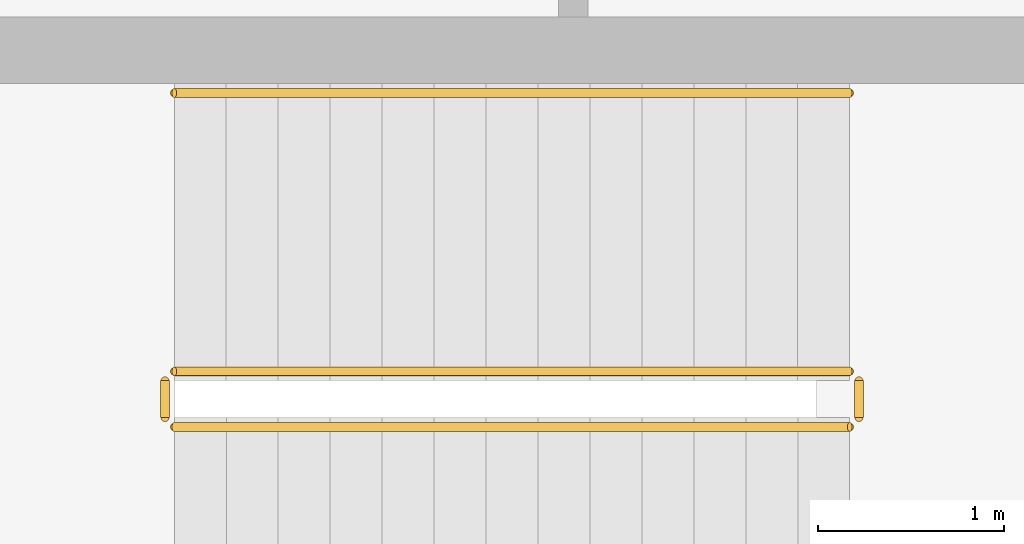
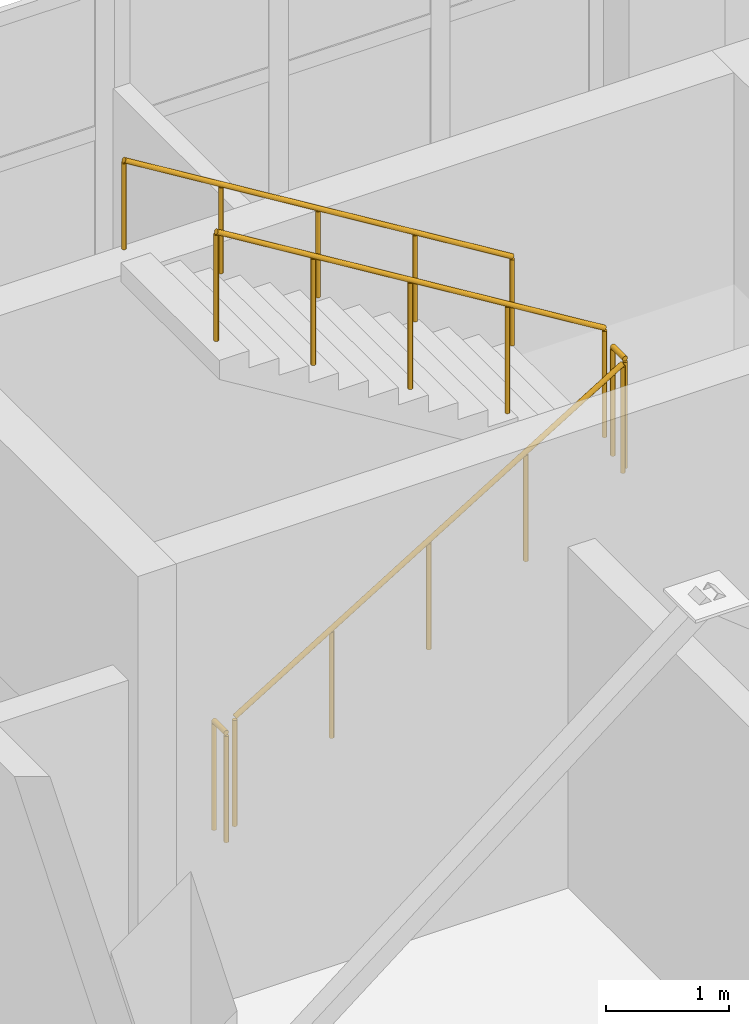
# One storey, part 121 of 121: 5 railings.
"""IFC4 building model written with IfcOpenShell, lengths in metres."""

import ifcopenshell
import ifcopenshell.guid

model = None  # the IFC model being written
_history = None  # IfcOwnerHistory: only IFC2X3 demands one
_inside = {}  # id of a spatial element -> (the spatial element, [elements in it])
_under = {}  # id of a project, library or spatial element -> (it, [spatial elements below it])
_declared = {}  # id of a project -> (the project, [libraries it declares])
_typed = {}  # id of a type object -> (the type object, [elements of that type])
_made_of = {}  # id of a material, layer set ... -> (it, [elements and type objects made of it])


def new_model(schema):
    """Start an empty IFC model of exactly this schema.

    Asked for "IFC4X3", IfcOpenShell would pick the latest addendum, in which some entities
    have other attributes; the version numbers below select the first issue.
    IFC2X3 requires an IfcOwnerHistory on every rooted entity: one is made here for all.
    """
    global model, _history
    if schema == "IFC4X3":
        model = ifcopenshell.file(schema_version=(4, 3, 0, 0))
    else:
        model = ifcopenshell.file(schema=schema)
    _inside.clear()
    _under.clear()
    _declared.clear()
    _typed.clear()
    _made_of.clear()
    _history = None
    if model.schema == "IFC2X3":
        org = make("IfcOrganization", Name="unknown")
        user = make(
            "IfcPersonAndOrganization",
            ThePerson=make("IfcPerson", FamilyName="unknown"),
            TheOrganization=org,
        )
        app = make(
            "IfcApplication",
            ApplicationDeveloper=org,
            Version="unknown",
            ApplicationFullName="unknown",
            ApplicationIdentifier="unknown",
        )
        _history = make(
            "IfcOwnerHistory",
            OwningUser=user,
            OwningApplication=app,
            ChangeAction="ADDED",
            CreationDate=0,
        )
    return model


def make(cls, **values):
    """One entity of the class cls with the attributes given. An attribute that is None is left unset."""
    return model.create_entity(
        cls, **{name: value for name, value in values.items() if value is not None}
    )


def rooted(cls, **values):
    """An entity with a GlobalId (a new one), such as an element, a storey or a relation."""
    return make(cls, GlobalId=ifcopenshell.guid.new(), OwnerHistory=_history, **values)


def si_unit(unit_type, name, prefix=None):
    """IfcSIUnit, for example si_unit("LENGTHUNIT", "METRE", prefix="MILLI")."""
    return make("IfcSIUnit", UnitType=unit_type, Prefix=prefix, Name=name)


def assignment(units):
    """IfcUnitAssignment: the units of a project."""
    return None if units is None else make("IfcUnitAssignment", Units=units)


def point(xyz):
    """IfcCartesianPoint."""
    return None if xyz is None else make("IfcCartesianPoint", Coordinates=xyz)


def direction(xyz):
    """IfcDirection."""
    return None if xyz is None else make("IfcDirection", DirectionRatios=xyz)


def frame(location, z_axis=None, x_axis=None):
    """IfcAxis2Placement3D, a coordinate frame: its origin and axes. An axis left out is left unset."""
    return make(
        "IfcAxis2Placement3D",
        Location=point(location),
        Axis=direction(z_axis),
        RefDirection=direction(x_axis),
    )


def frame_2d(location, x_axis=None):
    """IfcAxis2Placement2D, a coordinate frame in the plane: its origin and x axis."""
    return make(
        "IfcAxis2Placement2D", Location=point(location), RefDirection=direction(x_axis)
    )


def origin():
    """The frame at (0, 0, 0) with its axes left unset."""
    return frame((0.0, 0.0, 0.0))


def origin_2d():
    """The frame at (0, 0) in the plane with its x axis left unset."""
    return frame_2d((0.0, 0.0))


def place(relative_to, where):
    """IfcLocalPlacement: puts the frame where relative to a parent placement (None: the world)."""
    return make(
        "IfcLocalPlacement", PlacementRelTo=relative_to, RelativePlacement=where
    )


def context(
    kind, dimensions, precision=None, world=None, true_north=None, identifier=None
):
    """IfcGeometricRepresentationContext, for example the 3D "Model" context."""
    return make(
        "IfcGeometricRepresentationContext",
        ContextIdentifier=identifier,
        ContextType=kind,
        CoordinateSpaceDimension=dimensions,
        Precision=precision,
        WorldCoordinateSystem=world,
        TrueNorth=true_north,
    )


def subcontext(parent, identifier, kind, view, scale=None):
    """IfcGeometricRepresentationSubContext, for example "Body" below "Model"."""
    return make(
        "IfcGeometricRepresentationSubContext",
        ContextIdentifier=identifier,
        ContextType=kind,
        ParentContext=parent,
        TargetScale=scale,
        TargetView=view,
    )


def project(units=None, contexts=None):
    """IfcProject with its units and contexts."""
    return rooted(
        "IfcProject",
        Name="project",
        RepresentationContexts=contexts,
        UnitsInContext=assignment(units),
    )


def spatial(cls, under=None, at=None, **own):
    """A site, building, storey or space (cls), placed at a placement, below another one or the project."""
    s = rooted(cls, ObjectPlacement=at, **own)
    if under is not None:
        _under.setdefault(under.id(), (under, []))[1].append(s)
    return s


def profile(cls, at=None, kind="AREA", **sizes):
    """A parametric profile (cls). Its sizes go by their IFC names, for example OverallWidth=200.0."""
    return make(cls, ProfileType=kind, Position=at, **sizes)


def circle(**sizes):
    """IfcCircleProfileDef."""
    return profile("IfcCircleProfileDef", **sizes)


def extrude(swept, where, along, depth):
    """IfcExtrudedAreaSolid: the profile swept, set in the frame where, extruded along a direction by depth."""
    return make(
        "IfcExtrudedAreaSolid",
        SweptArea=swept,
        Position=where,
        ExtrudedDirection=direction(along),
        Depth=depth,
    )


def shape(context_of_items, identifier, shape_type, items):
    """IfcShapeRepresentation: the items that make up one representation, for example the "Body"."""
    return make(
        "IfcShapeRepresentation",
        ContextOfItems=context_of_items,
        RepresentationIdentifier=identifier,
        RepresentationType=shape_type,
        Items=items,
    )


def material(Name=None, Category=None):
    """IfcMaterial."""
    return make("IfcMaterial", Name=Name, Category=Category)


def made_of(thing, what):
    """Note that an element or type object is made of a material, layer set ...; save() writes the relation."""
    if what is not None:
        _made_of.setdefault(what.id(), (what, []))[1].append(thing)
    return thing


def type_object(cls, material=None, **own):
    """A type object (cls), such as IfcWallType, which elements share."""
    return made_of(rooted(cls, **own), material)


def element(
    cls,
    number,
    at=None,
    inside=None,
    cuts=None,
    type_object=None,
    material=None,
    context=None,
    identifier="Body",
    shape_type=None,
    held_by="IfcProductDefinitionShape",
    body=None,
    shapes=None,
    **own,
):
    """One element of the class cls, such as IfcWall. Its Tag is "e" and its number.

    at: its placement. inside: the storey or other place that contains it. cuts: it is an
    opening in that element (IfcRelVoidsElement). A single representation is given by context,
    identifier, shape_type and body (its items); several are given by shapes. held_by: the class
    of the entity that holds the representations. save() writes the other relations.
    """
    e = rooted(cls, Tag="e%d" % number, ObjectPlacement=at, **own)
    if body is not None:
        shapes = [shape(context, identifier, shape_type, body)]
    if shapes is not None:
        e.Representation = make(held_by, Representations=shapes)
    if inside is not None:
        _inside.setdefault(inside.id(), (inside, []))[1].append(e)
    if cuts is not None:
        rooted(
            "IfcRelVoidsElement", RelatingBuildingElement=cuts, RelatedOpeningElement=e
        )
    if type_object is not None:
        _typed.setdefault(type_object.id(), (type_object, []))[1].append(e)
    return made_of(e, material)


def aggregate(whole, parts):
    """IfcRelAggregates: a whole, such as a stair, and the parts it consists of."""
    return rooted("IfcRelAggregates", RelatingObject=whole, RelatedObjects=parts)


def save(model, path):
    """Write the relations noted so far, then the file.

    IfcRelAggregates (storeys below a building ...), IfcRelContainedInSpatialStructure (elements
    in a storey), IfcRelDefinesByType, IfcRelAssociatesMaterial and IfcRelDeclares: one each for
    every whole, place, type object, material and project.
    """
    for whole, parts in _under.values():
        aggregate(whole, parts)
    for where, things in _inside.values():
        rooted(
            "IfcRelContainedInSpatialStructure",
            RelatedElements=things,
            RelatingStructure=where,
        )
    for kind, things in _typed.values():
        rooted("IfcRelDefinesByType", RelatedObjects=things, RelatingType=kind)
    for what, things in _made_of.values():
        rooted("IfcRelAssociatesMaterial", RelatedObjects=things, RelatingMaterial=what)
    for by, libraries in _declared.values():
        rooted("IfcRelDeclares", RelatingContext=by, RelatedDefinitions=libraries)
    model.write(path)


model = new_model("IFC4")

# Units and contexts
model_context = context("Model", 3, precision=1e-05, world=origin(), true_north=direction((0.0, 1.0)))
body_context = subcontext(model_context, "Body", "Model", "MODEL_VIEW")
ifc_project = project(units=[si_unit("LENGTHUNIT", "METRE"), si_unit("AREAUNIT", "SQUARE_METRE"), si_unit("VOLUMEUNIT", "CUBIC_METRE"), si_unit("PLANEANGLEUNIT", "RADIAN"), si_unit("MASSUNIT", "GRAM", prefix="KILO")], contexts=[model_context])

# Site, building, storey
site_placement = place(None, origin())
site = spatial("IfcSite", under=ifc_project, at=site_placement, CompositionType="ELEMENT")
building_placement = place(site_placement, origin())
building = spatial("IfcBuilding", under=site, at=building_placement, Name="Zereglee Splitstone Museum", CompositionType="ELEMENT")
storey_placement = place(building_placement, origin())
storey = spatial("IfcBuildingStorey", under=building, at=storey_placement, Name="L00", CompositionType="ELEMENT", Elevation=0.0)

# Railings
ifc_material_1 = material(Name="Painted steel S355J2 post-and-baluster guard", Category="steel")
railing_type_1 = type_object("IfcRailingType", Name="GR-03", PredefinedType="BALUSTRADE", material=ifc_material_1)
railing_1_placement = place(storey_placement, frame((308.85009765625, 54.35009765625, 0.17138671875)))
element("IfcRailing", 1, at=railing_1_placement, inside=storey, type_object=railing_type_1, Name="L00 ST-08 stair guard 1", PredefinedType="BALUSTRADE", context=body_context, shape_type="SweptSolid", body=[
    extrude(circle(Radius=0.02392578125, at=origin_2d()), frame((0.0, 0.0, 1.076416015625), z_axis=(0.852850264322, 0.0, 0.5221555579), x_axis=(0.0, 1.0, 0.0)), (0.0, 0.0, 1.0), 4.267822265625),
    extrude(circle(Radius=0.02099609375, at=origin_2d()), origin(), (0.0, 0.0, 1.0), 1.052001953125),
    extrude(circle(Radius=0.02099609375, at=origin_2d()), frame((0.909912109375, 0.0, 0.55712890625)), (0.0, 0.0, 1.0), 1.052001953125),
    extrude(circle(Radius=0.02099609375, at=origin_2d()), frame((1.81982421875, 0.0, 1.1142578125)), (0.0, 0.0, 1.0), 1.052001953125),
    extrude(circle(Radius=0.02099609375, at=origin_2d()), frame((2.72998046875, 0.0, 1.67138671875)), (0.0, 0.0, 1.0), 1.052001953125),
    extrude(circle(Radius=0.02099609375, at=origin_2d()), frame((3.639892578125, 0.0, 2.228515625)), (0.0, 0.0, 1.0), 1.052001953125),
])
railing_2_placement = place(storey_placement, frame((312.5400390625, 54.39990234375, 2.39990234375)))
element("IfcRailing", 2, at=railing_2_placement, inside=storey, type_object=railing_type_1, Name="L00 ST-08 stair guard 2", PredefinedType="BALUSTRADE", context=body_context, shape_type="SweptSolid", body=[
    extrude(circle(Radius=0.02392578125, at=origin_2d()), frame((0.0, 0.0, 1.076416015625), z_axis=(0.0, 1.0, 0.0), x_axis=(-1.0, 0.0, 0.0)), (0.0, 0.0, 1.0), 0.2001953125),
    extrude(circle(Radius=0.02099609375, at=origin_2d()), origin(), (0.0, 0.0, 1.0), 1.052001953125),
    extrude(circle(Radius=0.02099609375, at=origin_2d()), frame((0.0, 0.2001953125, 0.0)), (0.0, 0.0, 1.0), 1.052001953125),
])
railing_3_placement = place(storey_placement, frame((312.489990234375, 54.64990234375, 2.571533203125)))
element("IfcRailing", 3, at=railing_3_placement, inside=storey, type_object=railing_type_1, Name="L00 ST-08 stair guard 3", PredefinedType="BALUSTRADE", context=body_context, shape_type="SweptSolid", body=[
    extrude(circle(Radius=0.02392578125, at=origin_2d()), frame((0.0, 0.0, 1.076416015625), z_axis=(-0.852850264322, 0.0, 0.5221555579), x_axis=(0.0, -1.0, 0.0)), (0.0, 0.0, 1.0), 4.267822265625),
    extrude(circle(Radius=0.02099609375, at=origin_2d()), origin(), (0.0, 0.0, 1.0), 1.052001953125),
    extrude(circle(Radius=0.02099609375, at=origin_2d()), frame((-0.909912109375, 0.0, 0.55712890625)), (0.0, 0.0, 1.0), 1.052001953125),
    extrude(circle(Radius=0.02099609375, at=origin_2d()), frame((-1.81982421875, 0.0, 1.1142578125)), (0.0, 0.0, 1.0), 1.052001953125),
    extrude(circle(Radius=0.02099609375, at=origin_2d()), frame((-2.72998046875, 0.0, 1.67138671875)), (0.0, 0.0, 1.0), 1.052001953125),
    extrude(circle(Radius=0.02099609375, at=origin_2d()), frame((-3.639892578125, 0.0, 2.228515625)), (0.0, 0.0, 1.0), 1.052001953125),
])
railing_4_placement = place(storey_placement, frame((308.800048828125, 54.39990234375, 0.0)))
element("IfcRailing", 4, at=railing_4_placement, inside=storey, type_object=railing_type_1, Name="L00 ST-08 stair guard 4", PredefinedType="BALUSTRADE", context=body_context, shape_type="SweptSolid", body=[
    extrude(circle(Radius=0.02392578125, at=origin_2d()), frame((0.0, 0.0, 1.076416015625), z_axis=(0.0, 1.0, 0.0), x_axis=(-1.0, 0.0, 0.0)), (0.0, 0.0, 1.0), 0.2001953125),
    extrude(circle(Radius=0.02099609375, at=origin_2d()), origin(), (0.0, 0.0, 1.0), 1.052001953125),
    extrude(circle(Radius=0.02099609375, at=origin_2d()), frame((0.0, 0.2001953125, 0.0)), (0.0, 0.0, 1.0), 1.052001953125),
])
ifc_material_2 = material(Name="Architectural bronze tubular handrail", Category="steel")
railing_type_2 = type_object("IfcRailingType", Name="HR-01", PredefinedType="HANDRAIL", material=ifc_material_2)
railing_5_placement = place(storey_placement, frame((312.489990234375, 56.14990234375, 2.571533203125)))
element("IfcRailing", 5, at=railing_5_placement, inside=storey, type_object=railing_type_2, Name="L00 ST-08 stair handrail 2", PredefinedType="HANDRAIL", context=body_context, shape_type="SweptSolid", body=[
    extrude(circle(Radius=0.02392578125, at=origin_2d()), frame((0.0, 0.0, 0.8759765625), z_axis=(-0.852850264322, 0.0, 0.5221555579), x_axis=(0.0, -1.0, 0.0)), (0.0, 0.0, 1.0), 4.267822265625),
    extrude(circle(Radius=0.02099609375, at=origin_2d()), origin(), (0.0, 0.0, 1.0), 0.851806640625),
    extrude(circle(Radius=0.02099609375, at=origin_2d()), frame((-0.909912109375, 0.0, 0.55712890625)), (0.0, 0.0, 1.0), 0.851806640625),
    extrude(circle(Radius=0.02099609375, at=origin_2d()), frame((-1.81982421875, 0.0, 1.1142578125)), (0.0, 0.0, 1.0), 0.851806640625),
    extrude(circle(Radius=0.02099609375, at=origin_2d()), frame((-2.72998046875, 0.0, 1.67138671875)), (0.0, 0.0, 1.0), 0.851806640625),
    extrude(circle(Radius=0.02099609375, at=origin_2d()), frame((-3.639892578125, 0.0, 2.228515625)), (0.0, 0.0, 1.0), 0.851806640625),
])

save(model, "model.ifc")
